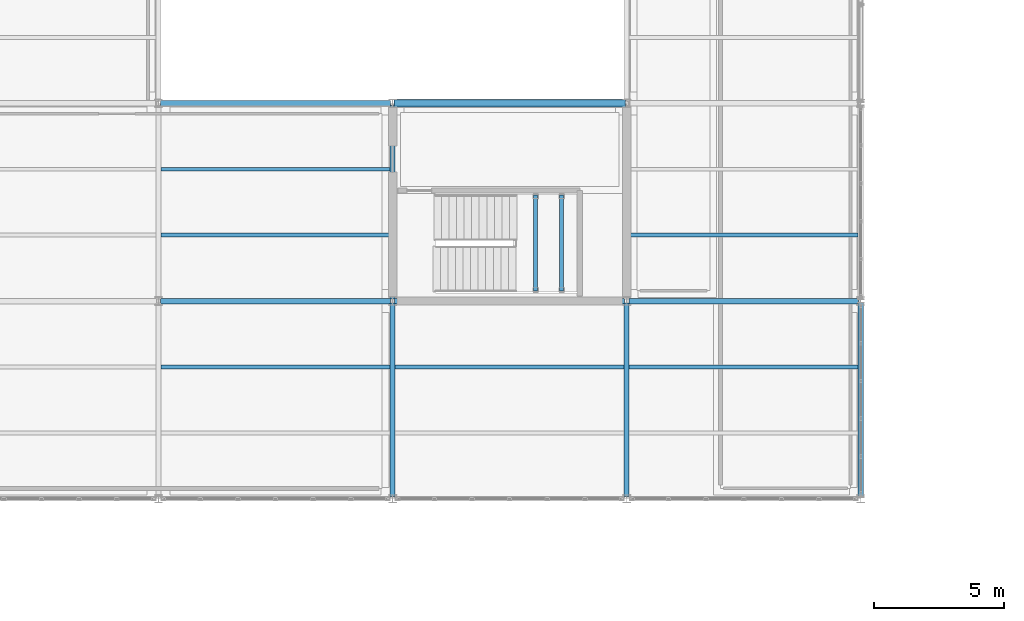
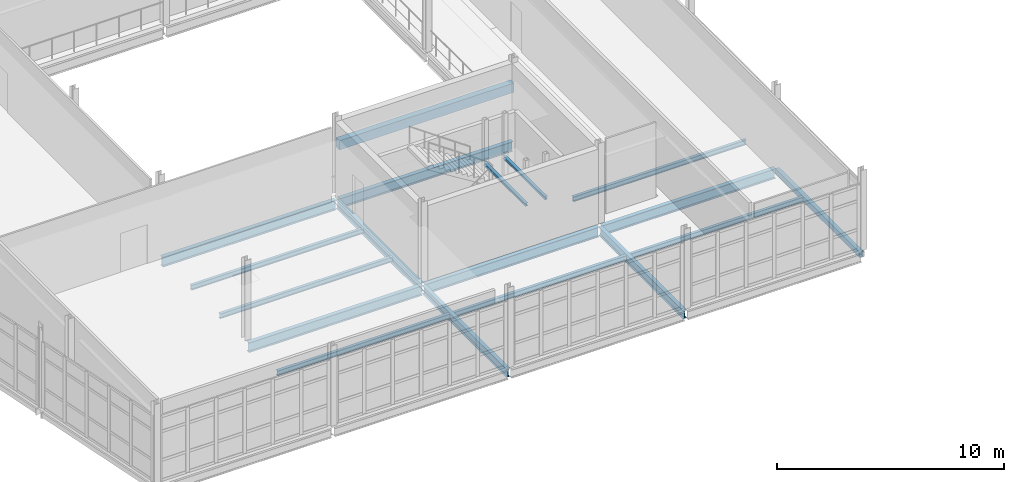
# One storey, part 112 of 166: 18 beams.
"""IFC4 building model written with IfcOpenShell, lengths in metres."""

from ifc_helpers import new_model, si_unit, direction, frame, origin, origin_2d, place, context, subcontext, project, spatial, rectangle, hollow_rectangle, i_section, extrude, material, material_profile, profile_set, type_object, element, save


model = new_model("IFC4")

# Units and contexts
model_context = context("Model", 3, precision=1e-05, world=origin(), true_north=direction((0.0, 1.0)))
body_context = subcontext(model_context, "Body", "Model", "MODEL_VIEW")
ifc_project = project(units=[si_unit("LENGTHUNIT", "METRE"), si_unit("AREAUNIT", "SQUARE_METRE"), si_unit("VOLUMEUNIT", "CUBIC_METRE"), si_unit("PLANEANGLEUNIT", "RADIAN"), si_unit("MASSUNIT", "GRAM", prefix="KILO")], contexts=[model_context])

# Site, building, storey
site_placement = place(None, origin())
site = spatial("IfcSite", under=ifc_project, at=site_placement, CompositionType="ELEMENT")
building_placement = place(site_placement, origin())
building = spatial("IfcBuilding", under=site, at=building_placement, Name="Caisbarro Railhouse Central Library", CompositionType="ELEMENT")
storey_placement = place(building_placement, frame((0.0, 0.0, 9.360107421875)))
storey = spatial("IfcBuildingStorey", under=building, at=storey_placement, Name="L02", CompositionType="ELEMENT", Elevation=9.360107421875)

# Beams
ifc_material_1 = material(Name="Steel ASTM A572 Grade 50", Category="steel")
ifc_material_profile_1 = material_profile(ifc_material_1, i_section(OverallWidth=0.208984375, OverallDepth=0.532958984375, WebThickness=0.01025390625, FlangeThickness=0.015625, FilletRadius=0.02001953125, at=origin_2d()), Name="W530X92.0")
ifc_profile_set_1 = profile_set([ifc_material_profile_1], Name="Steel ASTM A572 Grade 50")
beam_type_1 = type_object("IfcBeamType", Name="BM-G06", PredefinedType="BEAM", material=ifc_profile_set_1)
for number, where, z_axis, x_axis, name in (
    (1, (126.080078125, 68.39990234375, -0.486572265625), (1.0, 0.0, 0.0), (0.0, 1.0, 0.0), "G06 beam L02 #1481"),
    (2, (135.080078125, 68.39990234375, -0.486572265625), (1.0, 0.0, 0.0), (0.0, 1.0, 0.0), "G06 beam L02 #1482"),
    (3, (144.080078125, 68.39990234375, -0.486572265625), (1.0, 0.0, 0.0), (0.0, 1.0, 0.0), "G06 beam L02 #1483"),
    (4, (126.080078125, 76.0, -0.486572265625), (1.0, 0.0, 0.0), (0.0, 1.0, 0.0), "G06 beam L02 #1485"),
    (5, (135.080078125, 76.0, -0.486572265625), (1.0, 0.0, 0.0), (0.0, 1.0, 0.0), "G06 beam L02 #1486"),
):
    element("IfcBeam", number, at=place(storey_placement, frame(where, z_axis=z_axis, x_axis=x_axis)), inside=storey, type_object=beam_type_1, Name=name, PredefinedType="BEAM", context=body_context, shape_type="SweptSolid", body=[
        extrude(i_section(OverallWidth=0.208984375, OverallDepth=0.532958984375, WebThickness=0.01025390625, FlangeThickness=0.015625, FilletRadius=0.02001953125, at=origin_2d()), origin(), (0.0, 0.0, 1.0), 8.83984375),
    ])
ifc_material_profile_2 = material_profile(ifc_material_1, i_section(OverallWidth=0.18994140625, OverallDepth=0.45703125, WebThickness=0.009033203125, FlangeThickness=0.014404296875, FilletRadius=0.01806640625, at=origin_2d()), Name="W460X74.0")
ifc_profile_set_2 = profile_set([ifc_material_profile_2], Name="Steel ASTM A572 Grade 50")
beam_type_2 = type_object("IfcBeamType", Name="BM-G08", PredefinedType="BEAM", material=ifc_profile_set_2)
beam_1_placement = place(storey_placement, frame((135.0, 60.8798828125, -0.448486328125), z_axis=(0.0, 1.0, 0.0), x_axis=(-1.0, 0.0, 0.0)))
element("IfcBeam", 6, at=beam_1_placement, inside=storey, type_object=beam_type_2, Name="G08 beam L02 #1520", PredefinedType="BEAM", context=body_context, shape_type="SweptSolid", body=[
    extrude(i_section(OverallWidth=0.18994140625, OverallDepth=0.45703125, WebThickness=0.009033203125, FlangeThickness=0.014404296875, FilletRadius=0.01806640625, at=origin_2d()), origin(), (0.0, 0.0, 1.0), 7.440185546875),
])
beam_2_placement = place(storey_placement, frame((135.0, 68.47998046875, -0.448486328125), z_axis=(0.0, 1.0, 0.0), x_axis=(-1.0, 0.0, 0.0)))
element("IfcBeam", 7, at=beam_2_placement, inside=storey, type_object=beam_type_2, Name="G08 beam L02 #1521", PredefinedType="BEAM", context=body_context, shape_type="SweptSolid", body=[
    extrude(i_section(OverallWidth=0.18994140625, OverallDepth=0.45703125, WebThickness=0.009033203125, FlangeThickness=0.014404296875, FilletRadius=0.01806640625, at=origin_2d()), origin(), (0.0, 0.0, 1.0), 7.43994140625),
])
beam_3_placement = place(storey_placement, frame((144.0, 60.8798828125, -0.448486328125), z_axis=(0.0, 1.0, 0.0), x_axis=(-1.0, 0.0, 0.0)))
element("IfcBeam", 8, at=beam_3_placement, inside=storey, type_object=beam_type_2, Name="G08 beam L02 #1525", PredefinedType="BEAM", context=body_context, shape_type="SweptSolid", body=[
    extrude(i_section(OverallWidth=0.18994140625, OverallDepth=0.45703125, WebThickness=0.009033203125, FlangeThickness=0.014404296875, FilletRadius=0.01806640625, at=origin_2d()), origin(), (0.0, 0.0, 1.0), 7.440185546875),
])
ifc_material_profile_3 = material_profile(ifc_material_1, i_section(OverallWidth=0.14794921875, OverallDepth=0.26611328125, WebThickness=0.007568359375, FlangeThickness=0.012939453125, FilletRadius=0.010009765625, at=origin_2d()), Name="W250X44.8")
ifc_profile_set_3 = profile_set([ifc_material_profile_3], Name="Steel ASTM A572 Grade 50")
beam_type_3 = type_object("IfcBeamType", Name="BM-J04", PredefinedType="JOIST", material=ifc_profile_set_3)
for number, where, z_axis, x_axis, name in (
    (9, (126.094970703125, 65.86669921875, -0.35302734375), (1.0, 0.0, 0.0), (0.0, 1.0, 0.0), "J04 beam L02 #1554"),
    (10, (126.094970703125, 70.933349609375, -0.35302734375), (1.0, 0.0, 0.0), (0.0, 1.0, 0.0), "J04 beam L02 #1555"),
    (11, (126.094970703125, 73.466796875, -0.35302734375), (1.0, 0.0, 0.0), (0.0, 1.0, 0.0), "J04 beam L02 #1556"),
    (12, (135.094970703125, 65.86669921875, -0.35302734375), (1.0, 0.0, 0.0), (0.0, 1.0, 0.0), "J04 beam L02 #1562"),
):
    element("IfcBeam", number, at=place(storey_placement, frame(where, z_axis=z_axis, x_axis=x_axis)), inside=storey, type_object=beam_type_3, Name=name, PredefinedType="JOIST", context=body_context, shape_type="SweptSolid", body=[
        extrude(i_section(OverallWidth=0.14794921875, OverallDepth=0.26611328125, WebThickness=0.007568359375, FlangeThickness=0.012939453125, FilletRadius=0.010009765625, at=origin_2d()), origin(), (0.0, 0.0, 1.0), 8.81005859375),
    ])
for number, where, z_axis, x_axis, name in (
    (13, (144.094970703125, 65.86669921875, -0.35302734375), (1.0, 0.0, 0.0), (0.0, 1.0, 0.0), "J04 beam L02 #1570"),
    (14, (144.094970703125, 70.933349609375, -0.35302734375), (1.0, 0.0, 0.0), (0.0, 1.0, 0.0), "J04 beam L02 #1571"),
):
    element("IfcBeam", number, at=place(storey_placement, frame(where, z_axis=z_axis, x_axis=x_axis)), inside=storey, type_object=beam_type_3, Name=name, PredefinedType="JOIST", context=body_context, shape_type="SweptSolid", body=[
        extrude(i_section(OverallWidth=0.14794921875, OverallDepth=0.26611328125, WebThickness=0.007568359375, FlangeThickness=0.012939453125, FilletRadius=0.010009765625, at=origin_2d()), origin(), (0.0, 0.0, 1.0), 8.804931640625),
    ])
ifc_material_2 = material(Name="Concrete C40", Category="concrete")
ifc_material_profile_4 = material_profile(ifc_material_2, rectangle(XDim=0.300048828125, YDim=0.5, at=origin_2d()), Name="RC-LIN-300X500")
ifc_profile_set_4 = profile_set([ifc_material_profile_4], Name="Concrete C40")
beam_type_4 = type_object("IfcBeamType", Name="BM-LN02", PredefinedType="LINTEL", material=ifc_profile_set_4)
beam_4_placement = place(storey_placement, frame((135.050048828125, 76.0, 2.699951171875), z_axis=(1.0, 0.0, 0.0), x_axis=(0.0, 1.0, 0.0)))
element("IfcBeam", 15, at=beam_4_placement, inside=storey, type_object=beam_type_4, Name="LN02 RC core coupling lintel K7 L02", PredefinedType="LINTEL", context=body_context, shape_type="SweptSolid", body=[
    extrude(rectangle(XDim=0.300048828125, YDim=0.5, at=origin_2d()), origin(), (0.0, 0.0, 1.0), 8.89990234375),
])
ifc_material_profile_5 = material_profile(ifc_material_1, i_section(OverallWidth=0.152099609375, OverallDepth=0.152099609375, WebThickness=0.005859375, FlangeThickness=0.006591796875, FilletRadius=0.008056640625, at=origin_2d()), Name="W150X22.5")
ifc_profile_set_5 = profile_set([ifc_material_profile_5], Name="Steel ASTM A572 Grade 50")
beam_type_5 = type_object("IfcBeamType", Name="BM-SL02", PredefinedType="BEAM", material=ifc_profile_set_5)
for number, where, z_axis, x_axis, name in (
    (16, (140.5, 68.780029296875, 1.893798828125), (0.0, 1.0, 0.0), (-1.0, 0.0, 0.0), "SL02 Stair Landing Support Beam K7 L02 W"),
    (17, (141.5, 68.780029296875, 1.893798828125), (0.0, 1.0, 0.0), (-1.0, 0.0, 0.0), "SL02 Stair Landing Support Beam K7 L02 E"),
):
    element("IfcBeam", number, at=place(storey_placement, frame(where, z_axis=z_axis, x_axis=x_axis)), inside=storey, type_object=beam_type_5, Name=name, PredefinedType="BEAM", context=body_context, shape_type="SweptSolid", body=[
        extrude(i_section(OverallWidth=0.152099609375, OverallDepth=0.152099609375, WebThickness=0.005859375, FlangeThickness=0.006591796875, FilletRadius=0.008056640625, at=origin_2d()), origin(), (0.0, 0.0, 1.0), 3.68994140625),
    ])
ifc_material_profile_6 = material_profile(ifc_material_1, hollow_rectangle(XDim=0.199951171875, YDim=0.300048828125, WallThickness=0.012451171875, at=origin_2d()), Name="HSS300X200X12.5")
ifc_profile_set_6 = profile_set([ifc_material_profile_6], Name="Steel ASTM A572 Grade 50")
beam_type_6 = type_object("IfcBeamType", Name="BM-SP02", PredefinedType="SPANDREL", material=ifc_profile_set_6)
beam_5_placement = place(storey_placement, frame((153.0, 60.8798828125, -0.3701171875), z_axis=(0.0, 1.0, 0.0), x_axis=(-1.0, 0.0, 0.0)))
element("IfcBeam", 18, at=beam_5_placement, inside=storey, type_object=beam_type_6, Name="SP02 beam L02 #1532", PredefinedType="SPANDREL", context=body_context, shape_type="SweptSolid", body=[
    extrude(hollow_rectangle(XDim=0.199951171875, YDim=0.300048828125, WallThickness=0.012451171875, at=origin_2d()), origin(), (0.0, 0.0, 1.0), 7.440185546875),
])

save(model, "model.ifc")
